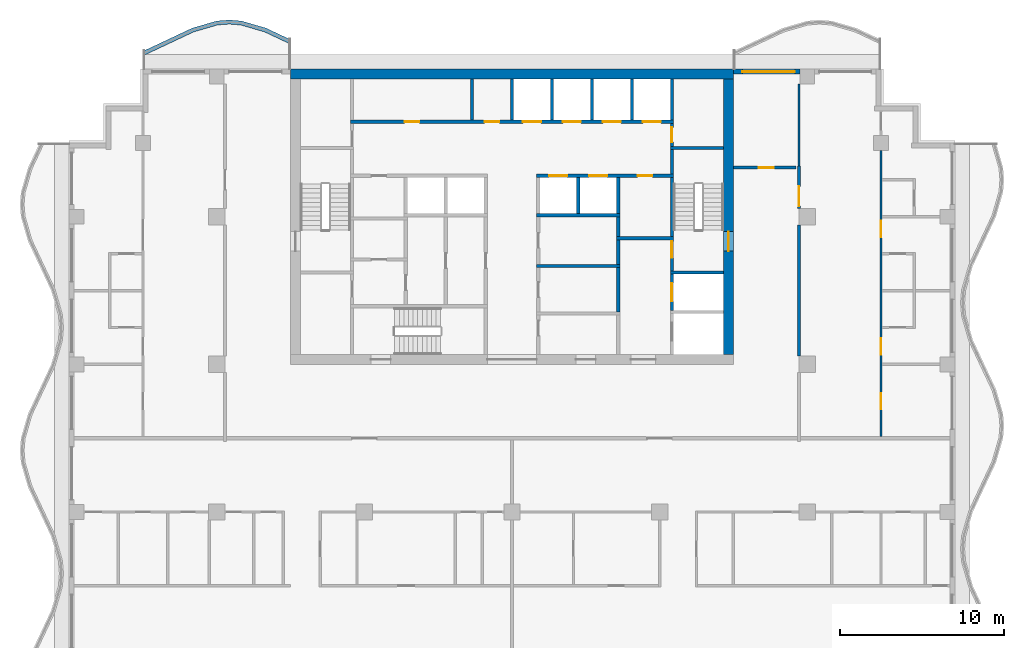
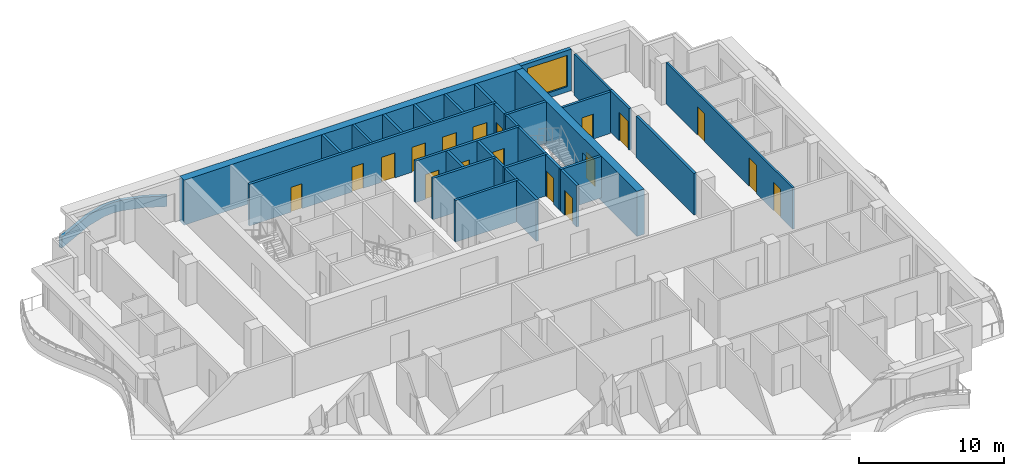
# One storey, part 6 of 11: 32 walls, 18 doors, 1 window, 19 openings.
"""IFC4 building model written with IfcOpenShell, lengths in metres."""

from ifc_helpers import new_model, si_unit, direction, frame, frame_2d, origin, place, context, subcontext, project, spatial, polyline, rectangle, outline, extrude, material, layer, layer_set, type_object, element, fill, save


model = new_model("IFC4")

# Units and contexts
model_context = context("Model", 3, precision=1e-05, world=origin(), true_north=direction((0.0, 1.0)))
body_context = subcontext(model_context, "Body", "Model", "MODEL_VIEW")
ifc_project = project(units=[si_unit("LENGTHUNIT", "METRE"), si_unit("AREAUNIT", "SQUARE_METRE"), si_unit("VOLUMEUNIT", "CUBIC_METRE"), si_unit("PLANEANGLEUNIT", "RADIAN"), si_unit("MASSUNIT", "GRAM", prefix="KILO")], contexts=[model_context])

# Site, building, storey
site_placement = place(None, origin())
site = spatial("IfcSite", under=ifc_project, at=site_placement, CompositionType="ELEMENT")
building_placement = place(site_placement, origin())
building = spatial("IfcBuilding", under=site, at=building_placement, Name="Orbiselva Terraces", CompositionType="ELEMENT")
storey_placement = place(building_placement, frame((0.0, 0.0, 242.6)))
storey = spatial("IfcBuildingStorey", under=building, at=storey_placement, Name="L61", CompositionType="ELEMENT", Elevation=242.6)

# Wall, opening, door
ifc_material_1 = material(Name="Concrete C80/95", Category="concrete")
ifc_layer_1 = layer(ifc_material_1, 0.6)
ifc_layer_set_1 = layer_set([ifc_layer_1], Name="Concrete C80/95")
wall_type_1 = type_object("IfcWallType", Name="CORE WALL 600", PredefinedType="SHEAR", material=ifc_layer_set_1)
wall_1_placement = place(storey_placement, frame((13.2, 5.1, -0.3), z_axis=(0.0, 0.0, 1.0), x_axis=(0.0, 1.0, 0.0)))
wall_1 = element("IfcWall", 1, at=wall_1_placement, inside=storey, type_object=wall_type_1, Name="Core wall L61 east", PredefinedType="SHEAR", context=body_context, shape_type="SweptSolid", body=[
    extrude(rectangle(XDim=16.8, YDim=0.6, at=frame_2d((8.4, 0.0))), origin(), (0.0, 0.0, 1.0), 3.8),
])
opening_1_placement = place(wall_1_placement, frame((6.3, 0.0, 0.3)))
opening_1 = element("IfcOpeningElement", 2, at=opening_1_placement, cuts=wall_1, Name="Opening DS1200", PredefinedType="OPENING", context=body_context, shape_type="SweptSolid", body=[
    extrude(rectangle(XDim=1.2, YDim=2.2, at=frame_2d((0.6, 1.1))), frame((0.0, 0.31, 0.0), z_axis=(0.0, -1.0, 0.0), x_axis=(1.0, 0.0, 0.0)), (0.0, 0.0, 1.0), 0.62),
])
ifc_material_2 = material(Name="Steel fire door", Category="steel")
door_type_1 = type_object("IfcDoorType", Name="STAIR DOOR 1200", OperationType="NOTDEFINED", PredefinedType="DOOR", material=ifc_material_2)
door_1_placement = place(opening_1_placement, frame((1.2, 0.0, 0.0), z_axis=(0.0, 0.0, 1.0), x_axis=(-1.0, 0.0, 0.0)))
door_1 = element("IfcDoor", 3, at=door_1_placement, inside=storey, type_object=door_type_1, Name="L61 EXIT STAIR S2 door", OperationType="SINGLE_SWING_LEFT", OverallHeight=2.2, OverallWidth=1.2, PredefinedType="DOOR", context=body_context, shape_type="SweptSolid", body=[
    extrude(rectangle(XDim=1.2, YDim=2.2, at=frame_2d((0.6, 1.1))), frame((0.0, 0.025, 0.0), z_axis=(0.0, -1.0, 0.0), x_axis=(1.0, 0.0, 0.0)), (0.0, 0.0, 1.0), 0.05),
])
fill(opening_1, door_1)

# Walls
ifc_layer_2 = layer(ifc_material_1, 0.6)
ifc_layer_set_2 = layer_set([ifc_layer_2], Name="Concrete C80/95")
wall_type_2 = type_object("IfcWallType", Name="CORE WALL 600 EXTERNAL", PredefinedType="SHEAR", material=ifc_layer_set_2)
wall_2_placement = place(storey_placement, frame((13.5, 22.2, -0.3), z_axis=(0.0, 0.0, 1.0), x_axis=(-1.0, 0.0, 0.0)))
element("IfcWall", 4, at=wall_2_placement, inside=storey, type_object=wall_type_2, Name="Core wall L61 north", PredefinedType="SHEAR", context=body_context, shape_type="SweptSolid", body=[
    extrude(rectangle(XDim=27.0, YDim=0.6, at=frame_2d((13.5, 0.0))), origin(), (0.0, 0.0, 1.0), 3.8),
])
ifc_material_3 = material(Name="Masonry blockwork", Category="masonry")
ifc_layer_3 = layer(ifc_material_3, 0.2)
ifc_layer_set_3 = layer_set([ifc_layer_3], Name="Masonry blockwork")
wall_type_3 = type_object("IfcWallType", Name="CORE-WALL-PARTITION-200", PredefinedType="PARTITIONING", material=ifc_layer_set_3)
wall_3_placement = place(storey_placement, frame((-2.4375, 19.4, 0.0), z_axis=(0.0, 0.0, 1.0), x_axis=(0.0, 1.0, 0.0)))
element("IfcWall", 5, at=wall_3_placement, inside=storey, type_object=wall_type_3, Name="L61 core wall 22", PredefinedType="PARTITIONING", context=body_context, shape_type="SweptSolid", body=[
    extrude(rectangle(XDim=2.5, YDim=0.2, at=frame_2d((1.25, 0.0))), origin(), (0.0, 0.0, 1.0), 3.5),
])
wall_4_placement = place(storey_placement, frame((6.475, 12.3, 0.0), z_axis=(0.0, 0.0, 1.0), x_axis=(0.0, 1.0, 0.0)))
element("IfcWall", 6, at=wall_4_placement, inside=storey, type_object=wall_type_3, Name="L61 core wall 42", PredefinedType="PARTITIONING", context=body_context, shape_type="SweptSolid", body=[
    extrude(rectangle(XDim=1.2, YDim=0.2, at=frame_2d((0.6, 0.0))), origin(), (0.0, 0.0, 1.0), 3.5),
])

# Wall, opening, door
wall_5_placement = place(storey_placement, frame((9.75, 19.2, 0.0), z_axis=(0.0, 0.0, 1.0), x_axis=(0.0, -1.0, 0.0)))
wall_5 = element("IfcWall", 7, at=wall_5_placement, inside=storey, type_object=wall_type_3, Name="L61 core wall 53", PredefinedType="PARTITIONING", context=body_context, shape_type="SweptSolid", body=[
    extrude(rectangle(XDim=1.4, YDim=0.2, at=frame_2d((0.7, 0.0))), origin(), (0.0, 0.0, 1.0), 3.5),
])
opening_2_placement = place(wall_5_placement, frame((0.25, 0.0, 0.0)))
opening_2 = element("IfcOpeningElement", 8, at=opening_2_placement, cuts=wall_5, Name="Opening DR900", PredefinedType="OPENING", context=body_context, shape_type="SweptSolid", body=[
    extrude(rectangle(XDim=0.9, YDim=2.1, at=frame_2d((0.45, 1.05))), frame((0.0, 0.11, 0.0), z_axis=(0.0, -1.0, 0.0), x_axis=(1.0, 0.0, 0.0)), (0.0, 0.0, 1.0), 0.22),
])
door_type_2 = type_object("IfcDoorType", Name="ROOM DOOR 900", OperationType="NOTDEFINED", PredefinedType="DOOR", material=ifc_material_2)
door_2_placement = place(opening_2_placement, origin())
door_2 = element("IfcDoor", 9, at=door_2_placement, inside=storey, type_object=door_type_2, Name="L61 ELECTRICAL RISER ROOM door", OperationType="SINGLE_SWING_RIGHT", OverallHeight=2.1, OverallWidth=0.9, PredefinedType="DOOR", context=body_context, shape_type="SweptSolid", body=[
    extrude(rectangle(XDim=0.9, YDim=2.1, at=frame_2d((0.45, 1.05))), frame((0.0, 0.025, 0.0), z_axis=(0.0, -1.0, 0.0), x_axis=(1.0, 0.0, 0.0)), (0.0, 0.0, 1.0), 0.05),
])
fill(opening_2, door_2)

# Walls
ifc_material_4 = material(Name="Concrete C40/50", Category="concrete")
ifc_layer_4 = layer(ifc_material_4, 0.2)
ifc_layer_set_4 = layer_set([ifc_layer_4], Name="Concrete C40/50")
wall_type_4 = type_object("IfcWallType", Name="CORE-WALL-SHAFT-200", PredefinedType="PARTITIONING", material=ifc_layer_set_4)
for number, where, z_axis, x_axis, name in (
    (10, (0.0, 19.4, 0.0), (0.0, 0.0, 1.0), (0.0, 1.0, 0.0), "L61 core wall 26"),
    (11, (2.4375, 19.4, 0.0), (0.0, 0.0, 1.0), (0.0, 1.0, 0.0), "L61 core wall 35"),
):
    element("IfcWall", number, at=place(storey_placement, frame(where, z_axis=z_axis, x_axis=x_axis)), inside=storey, type_object=wall_type_4, Name=name, PredefinedType="PARTITIONING", context=body_context, shape_type="SweptSolid", body=[
        extrude(rectangle(XDim=2.5, YDim=0.2, at=frame_2d((1.25, 0.0))), origin(), (0.0, 0.0, 1.0), 3.5),
    ])
wall_6_placement = place(storey_placement, frame((4.0375, 13.7, 0.0), z_axis=(0.0, 0.0, 1.0), x_axis=(0.0, 1.0, 0.0)))
element("IfcWall", 12, at=wall_6_placement, inside=storey, type_object=wall_type_4, Name="L61 core wall 36", PredefinedType="PARTITIONING", context=body_context, shape_type="SweptSolid", body=[
    extrude(rectangle(XDim=2.2, YDim=0.2, at=frame_2d((1.1, 0.0))), origin(), (0.0, 0.0, 1.0), 3.5),
])
wall_7_placement = place(storey_placement, frame((4.875, 19.4, 0.0), z_axis=(0.0, 0.0, 1.0), x_axis=(0.0, 1.0, 0.0)))
element("IfcWall", 13, at=wall_7_placement, inside=storey, type_object=wall_type_4, Name="L61 core wall 37", PredefinedType="PARTITIONING", context=body_context, shape_type="SweptSolid", body=[
    extrude(rectangle(XDim=2.5, YDim=0.2, at=frame_2d((1.25, 0.0))), origin(), (0.0, 0.0, 1.0), 3.5),
])
wall_8_placement = place(storey_placement, frame((6.475, 13.7, 0.0), z_axis=(0.0, 0.0, 1.0), x_axis=(0.0, 1.0, 0.0)))
element("IfcWall", 14, at=wall_8_placement, inside=storey, type_object=wall_type_4, Name="L61 core wall 43", PredefinedType="PARTITIONING", context=body_context, shape_type="SweptSolid", body=[
    extrude(rectangle(XDim=2.2, YDim=0.2, at=frame_2d((1.1, 0.0))), origin(), (0.0, 0.0, 1.0), 3.5),
])
for number, where, z_axis, x_axis, name in (
    (15, (7.3125, 19.4, 0.0), (0.0, 0.0, 1.0), (0.0, 1.0, 0.0), "L61 core wall 44"),
    (16, (9.75, 19.4, 0.0), (0.0, 0.0, 1.0), (0.0, 1.0, 0.0), "L61 core wall 54"),
):
    element("IfcWall", number, at=place(storey_placement, frame(where, z_axis=z_axis, x_axis=x_axis)), inside=storey, type_object=wall_type_4, Name=name, PredefinedType="PARTITIONING", context=body_context, shape_type="SweptSolid", body=[
        extrude(rectangle(XDim=2.5, YDim=0.2, at=frame_2d((1.25, 0.0))), origin(), (0.0, 0.0, 1.0), 3.5),
    ])

# Wall, openings, doors
ifc_material_5 = material(Name="Concrete C60/75", Category="concrete")
ifc_layer_5 = layer(ifc_material_5, 0.2)
ifc_layer_set_5 = layer_set([ifc_layer_5], Name="Concrete C60/75")
wall_type_5 = type_object("IfcWallType", Name="CORE-WALL-SHEAR-200", PredefinedType="SHEAR", material=ifc_layer_set_5)
wall_9_placement = place(storey_placement, frame((-9.85, 19.3, 0.0), z_axis=(0.0, 0.0, 1.0), x_axis=(1.0, 0.0, 0.0)))
wall_9 = element("IfcWall", 17, at=wall_9_placement, inside=storey, type_object=wall_type_5, Name="L61 core wall 14", PredefinedType="SHEAR", context=body_context, shape_type="SweptSolid", body=[
    extrude(rectangle(XDim=19.7, YDim=0.2, at=frame_2d((9.85, 0.0))), origin(), (0.0, 0.0, 1.0), 3.5),
])
opening_3_placement = place(wall_9_placement, frame((10.51875, 0.0, 0.0)))
opening_3 = element("IfcOpeningElement", 18, at=opening_3_placement, cuts=wall_9, Name="Opening LD-HR1", PredefinedType="OPENING", context=body_context, shape_type="SweptSolid", body=[
    extrude(rectangle(XDim=1.1, YDim=2.1, at=frame_2d((0.55, 1.05))), frame((0.0, 0.11, 0.0), z_axis=(0.0, -1.0, 0.0), x_axis=(1.0, 0.0, 0.0)), (0.0, 0.0, 1.0), 0.22),
])
opening_4_placement = place(wall_9_placement, frame((12.95625, 0.0, 0.0)))
opening_4 = element("IfcOpeningElement", 19, at=opening_4_placement, cuts=wall_9, Name="Opening LD-HR2", PredefinedType="OPENING", context=body_context, shape_type="SweptSolid", body=[
    extrude(rectangle(XDim=1.1, YDim=2.1, at=frame_2d((0.55, 1.05))), frame((0.0, 0.11, 0.0), z_axis=(0.0, -1.0, 0.0), x_axis=(1.0, 0.0, 0.0)), (0.0, 0.0, 1.0), 0.22),
])
opening_5_placement = place(wall_9_placement, frame((15.39375, 0.0, 0.0)))
opening_5 = element("IfcOpeningElement", 20, at=opening_5_placement, cuts=wall_9, Name="Opening LD-HR3", PredefinedType="OPENING", context=body_context, shape_type="SweptSolid", body=[
    extrude(rectangle(XDim=1.1, YDim=2.1, at=frame_2d((0.55, 1.05))), frame((0.0, 0.11, 0.0), z_axis=(0.0, -1.0, 0.0), x_axis=(1.0, 0.0, 0.0)), (0.0, 0.0, 1.0), 0.22),
])
opening_6_placement = place(wall_9_placement, frame((17.83125, 0.0, 0.0)))
opening_6 = element("IfcOpeningElement", 21, at=opening_6_placement, cuts=wall_9, Name="Opening LD-HR4", PredefinedType="OPENING", context=body_context, shape_type="SweptSolid", body=[
    extrude(rectangle(XDim=1.1, YDim=2.1, at=frame_2d((0.55, 1.05))), frame((0.0, 0.11, 0.0), z_axis=(0.0, -1.0, 0.0), x_axis=(1.0, 0.0, 0.0)), (0.0, 0.0, 1.0), 0.22),
])
opening_7_placement = place(wall_9_placement, frame((3.3062, 0.0, 0.0)))
opening_7 = element("IfcOpeningElement", 22, at=opening_7_placement, cuts=wall_9, Name="Opening DR900", PredefinedType="OPENING", context=body_context, shape_type="SweptSolid", body=[
    extrude(rectangle(XDim=0.9, YDim=2.1, at=frame_2d((0.45, 1.05))), frame((0.0, 0.11, 0.0), z_axis=(0.0, -1.0, 0.0), x_axis=(1.0, 0.0, 0.0)), (0.0, 0.0, 1.0), 0.22),
])
opening_8_placement = place(wall_9_placement, frame((8.1812, 0.0, 0.0)))
opening_8 = element("IfcOpeningElement", 23, at=opening_8_placement, cuts=wall_9, Name="Opening DR900", PredefinedType="OPENING", context=body_context, shape_type="SweptSolid", body=[
    extrude(rectangle(XDim=0.9, YDim=2.1, at=frame_2d((0.45, 1.05))), frame((0.0, 0.11, 0.0), z_axis=(0.0, -1.0, 0.0), x_axis=(1.0, 0.0, 0.0)), (0.0, 0.0, 1.0), 0.22),
])
ifc_material_6 = material(Name="Stainless steel landing door", Category="steel")
door_type_3 = type_object("IfcDoorType", Name="LANDING DOOR 1100", OperationType="SLIDING_TO_LEFT", PredefinedType="DOOR", material=ifc_material_6)
door_3_placement = place(opening_3_placement, origin())
door_3 = element("IfcDoor", 24, at=door_3_placement, inside=storey, type_object=door_type_3, Name="L61 landing door HR1", OperationType="SLIDING_TO_RIGHT", OverallHeight=2.1, OverallWidth=1.1, PredefinedType="DOOR", context=body_context, shape_type="SweptSolid", body=[
    extrude(rectangle(XDim=1.1, YDim=2.1, at=frame_2d((0.55, 1.05))), frame((0.0, 0.025, 0.0), z_axis=(0.0, -1.0, 0.0), x_axis=(1.0, 0.0, 0.0)), (0.0, 0.0, 1.0), 0.05),
])
fill(opening_3, door_3)
door_4_placement = place(opening_4_placement, origin())
door_4 = element("IfcDoor", 25, at=door_4_placement, inside=storey, type_object=door_type_3, Name="L61 landing door HR2", OperationType="SLIDING_TO_RIGHT", OverallHeight=2.1, OverallWidth=1.1, PredefinedType="DOOR", context=body_context, shape_type="SweptSolid", body=[
    extrude(rectangle(XDim=1.1, YDim=2.1, at=frame_2d((0.55, 1.05))), frame((0.0, 0.025, 0.0), z_axis=(0.0, -1.0, 0.0), x_axis=(1.0, 0.0, 0.0)), (0.0, 0.0, 1.0), 0.05),
])
fill(opening_4, door_4)
door_5_placement = place(opening_5_placement, origin())
door_5 = element("IfcDoor", 26, at=door_5_placement, inside=storey, type_object=door_type_3, Name="L61 landing door HR3", OperationType="SLIDING_TO_RIGHT", OverallHeight=2.1, OverallWidth=1.1, PredefinedType="DOOR", context=body_context, shape_type="SweptSolid", body=[
    extrude(rectangle(XDim=1.1, YDim=2.1, at=frame_2d((0.55, 1.05))), frame((0.0, 0.025, 0.0), z_axis=(0.0, -1.0, 0.0), x_axis=(1.0, 0.0, 0.0)), (0.0, 0.0, 1.0), 0.05),
])
fill(opening_5, door_5)
door_6_placement = place(opening_6_placement, origin())
door_6 = element("IfcDoor", 27, at=door_6_placement, inside=storey, type_object=door_type_3, Name="L61 landing door HR4", OperationType="SLIDING_TO_RIGHT", OverallHeight=2.1, OverallWidth=1.1, PredefinedType="DOOR", context=body_context, shape_type="SweptSolid", body=[
    extrude(rectangle(XDim=1.1, YDim=2.1, at=frame_2d((0.55, 1.05))), frame((0.0, 0.025, 0.0), z_axis=(0.0, -1.0, 0.0), x_axis=(1.0, 0.0, 0.0)), (0.0, 0.0, 1.0), 0.05),
])
fill(opening_6, door_6)
door_7_placement = place(opening_7_placement, origin())
door_7 = element("IfcDoor", 28, at=door_7_placement, inside=storey, type_object=door_type_2, Name="L61 SERVICE LOUNGE door", OperationType="SINGLE_SWING_LEFT", OverallHeight=2.1, OverallWidth=0.9, PredefinedType="DOOR", context=body_context, shape_type="SweptSolid", body=[
    extrude(rectangle(XDim=0.9, YDim=2.1, at=frame_2d((0.45, 1.05))), frame((0.0, 0.025, 0.0), z_axis=(0.0, -1.0, 0.0), x_axis=(1.0, 0.0, 0.0)), (0.0, 0.0, 1.0), 0.05),
])
fill(opening_7, door_7)
door_8_placement = place(opening_8_placement, origin())
door_8 = element("IfcDoor", 29, at=door_8_placement, inside=storey, type_object=door_type_2, Name="L61 STAFF WC door", OperationType="SINGLE_SWING_LEFT", OverallHeight=2.1, OverallWidth=0.9, PredefinedType="DOOR", context=body_context, shape_type="SweptSolid", body=[
    extrude(rectangle(XDim=0.9, YDim=2.1, at=frame_2d((0.45, 1.05))), frame((0.0, 0.025, 0.0), z_axis=(0.0, -1.0, 0.0), x_axis=(1.0, 0.0, 0.0)), (0.0, 0.0, 1.0), 0.05),
])
fill(opening_8, door_8)

# Walls
for number, where, z_axis, x_axis, name in (
    (30, (1.5, 10.5, 0.0), (0.0, 0.0, 1.0), (1.0, 0.0, 0.0), "L61 core wall 30"),
    (31, (1.5, 13.6, 0.0), (0.0, 0.0, 1.0), (1.0, 0.0, 0.0), "L61 core wall 32"),
):
    element("IfcWall", number, at=place(storey_placement, frame(where, z_axis=z_axis, x_axis=x_axis)), inside=storey, type_object=wall_type_5, Name=name, PredefinedType="SHEAR", context=body_context, shape_type="SweptSolid", body=[
        extrude(rectangle(XDim=5.075, YDim=0.2, at=frame_2d((2.5375, 0.0))), origin(), (0.0, 0.0, 1.0), 3.5),
    ])

# Wall, openings, doors
wall_10_placement = place(storey_placement, frame((9.85, 16.0, 0.0), z_axis=(0.0, 0.0, 1.0), x_axis=(-1.0, 0.0, 0.0)))
wall_10 = element("IfcWall", 32, at=wall_10_placement, inside=storey, type_object=wall_type_5, Name="L61 core wall 34", PredefinedType="SHEAR", context=body_context, shape_type="SweptSolid", body=[
    extrude(rectangle(XDim=8.35, YDim=0.2, at=frame_2d((4.175, 0.0))), origin(), (0.0, 0.0, 1.0), 3.5),
])
opening_9_placement = place(wall_10_placement, frame((6.48125, 0.0, 0.0)))
opening_9 = element("IfcOpeningElement", 33, at=opening_9_placement, cuts=wall_10, Name="Opening LD-HR5", PredefinedType="OPENING", context=body_context, shape_type="SweptSolid", body=[
    extrude(rectangle(XDim=1.1, YDim=2.1, at=frame_2d((0.55, 1.05))), frame((0.0, 0.11, 0.0), z_axis=(0.0, -1.0, 0.0), x_axis=(1.0, 0.0, 0.0)), (0.0, 0.0, 1.0), 0.22),
])
opening_10_placement = place(wall_10_placement, frame((4.04375, 0.0, 0.0)))
opening_10 = element("IfcOpeningElement", 34, at=opening_10_placement, cuts=wall_10, Name="Opening LD-HR6", PredefinedType="OPENING", context=body_context, shape_type="SweptSolid", body=[
    extrude(rectangle(XDim=1.1, YDim=2.1, at=frame_2d((0.55, 1.05))), frame((0.0, 0.11, 0.0), z_axis=(0.0, -1.0, 0.0), x_axis=(1.0, 0.0, 0.0)), (0.0, 0.0, 1.0), 0.22),
])
opening_11_placement = place(wall_10_placement, frame((1.2875, 0.0, 0.0)))
opening_11 = element("IfcOpeningElement", 35, at=opening_11_placement, cuts=wall_10, Name="Opening DR900", PredefinedType="OPENING", context=body_context, shape_type="SweptSolid", body=[
    extrude(rectangle(XDim=0.9, YDim=2.1, at=frame_2d((0.45, 1.05))), frame((0.0, 0.11, 0.0), z_axis=(0.0, -1.0, 0.0), x_axis=(1.0, 0.0, 0.0)), (0.0, 0.0, 1.0), 0.22),
])
door_9_placement = place(opening_9_placement, origin())
door_9 = element("IfcDoor", 36, at=door_9_placement, inside=storey, type_object=door_type_3, Name="L61 landing door HR5", OperationType="SLIDING_TO_RIGHT", OverallHeight=2.1, OverallWidth=1.1, PredefinedType="DOOR", context=body_context, shape_type="SweptSolid", body=[
    extrude(rectangle(XDim=1.1, YDim=2.1, at=frame_2d((0.55, 1.05))), frame((0.0, 0.025, 0.0), z_axis=(0.0, -1.0, 0.0), x_axis=(1.0, 0.0, 0.0)), (0.0, 0.0, 1.0), 0.05),
])
fill(opening_9, door_9)
door_10_placement = place(opening_10_placement, origin())
door_10 = element("IfcDoor", 37, at=door_10_placement, inside=storey, type_object=door_type_3, Name="L61 landing door HR6", OperationType="SLIDING_TO_RIGHT", OverallHeight=2.1, OverallWidth=1.1, PredefinedType="DOOR", context=body_context, shape_type="SweptSolid", body=[
    extrude(rectangle(XDim=1.1, YDim=2.1, at=frame_2d((0.55, 1.05))), frame((0.0, 0.025, 0.0), z_axis=(0.0, -1.0, 0.0), x_axis=(1.0, 0.0, 0.0)), (0.0, 0.0, 1.0), 0.05),
])
fill(opening_10, door_10)
door_11_placement = place(opening_11_placement, origin())
door_11 = element("IfcDoor", 38, at=door_11_placement, inside=storey, type_object=door_type_2, Name="L61 PIPE RISER ROOM door", OperationType="SINGLE_SWING_LEFT", OverallHeight=2.1, OverallWidth=0.9, PredefinedType="DOOR", context=body_context, shape_type="SweptSolid", body=[
    extrude(rectangle(XDim=0.9, YDim=2.1, at=frame_2d((0.45, 1.05))), frame((0.0, 0.025, 0.0), z_axis=(0.0, -1.0, 0.0), x_axis=(1.0, 0.0, 0.0)), (0.0, 0.0, 1.0), 0.05),
])
fill(opening_11, door_11)

# Walls
wall_11_placement = place(storey_placement, frame((6.475, 7.7, 0.0), z_axis=(0.0, 0.0, 1.0), x_axis=(0.0, 1.0, 0.0)))
element("IfcWall", 39, at=wall_11_placement, inside=storey, type_object=wall_type_5, Name="L61 core wall 39", PredefinedType="SHEAR", context=body_context, shape_type="SweptSolid", body=[
    extrude(rectangle(XDim=2.7, YDim=0.2, at=frame_2d((1.35, 0.0))), origin(), (0.0, 0.0, 1.0), 3.5),
])
wall_12_placement = place(storey_placement, frame((6.475, 10.6, 0.0), z_axis=(0.0, 0.0, 1.0), x_axis=(0.0, 1.0, 0.0)))
element("IfcWall", 40, at=wall_12_placement, inside=storey, type_object=wall_type_5, Name="L61 core wall 40", PredefinedType="SHEAR", context=body_context, shape_type="SweptSolid", body=[
    extrude(rectangle(XDim=1.5, YDim=0.2, at=frame_2d((0.75, 0.0))), origin(), (0.0, 0.0, 1.0), 3.5),
])
wall_13_placement = place(storey_placement, frame((6.375, 12.2, 0.0), z_axis=(0.0, 0.0, 1.0), x_axis=(1.0, 0.0, 0.0)))
element("IfcWall", 41, at=wall_13_placement, inside=storey, type_object=wall_type_5, Name="L61 core wall 41", PredefinedType="SHEAR", context=body_context, shape_type="SweptSolid", body=[
    extrude(rectangle(XDim=3.475, YDim=0.2, at=frame_2d((1.7375, 0.0))), origin(), (0.0, 0.0, 1.0), 3.5),
])

# Wall, opening, door
wall_14_placement = place(storey_placement, frame((9.75, 7.8, 0.0), z_axis=(0.0, 0.0, 1.0), x_axis=(0.0, 1.0, 0.0)))
wall_14 = element("IfcWall", 42, at=wall_14_placement, inside=storey, type_object=wall_type_5, Name="L61 core wall 47", PredefinedType="SHEAR", context=body_context, shape_type="SweptSolid", body=[
    extrude(rectangle(XDim=2.2, YDim=0.2, at=frame_2d((1.1, 0.0))), origin(), (0.0, 0.0, 1.0), 3.5),
])
opening_12_placement = place(wall_14_placement, frame((0.55, 0.0, 0.0)))
opening_12 = element("IfcOpeningElement", 43, at=opening_12_placement, cuts=wall_14, Name="Opening LD-FF2", PredefinedType="OPENING", context=body_context, shape_type="SweptSolid", body=[
    extrude(rectangle(XDim=1.1, YDim=2.1, at=frame_2d((0.55, 1.05))), frame((0.0, 0.11, 0.0), z_axis=(0.0, -1.0, 0.0), x_axis=(1.0, 0.0, 0.0)), (0.0, 0.0, 1.0), 0.22),
])
door_12_placement = place(opening_12_placement, origin())
door_12 = element("IfcDoor", 44, at=door_12_placement, inside=storey, type_object=door_type_3, Name="L61 landing door FF2", OperationType="SLIDING_TO_RIGHT", OverallHeight=2.1, OverallWidth=1.1, PredefinedType="DOOR", context=body_context, shape_type="SweptSolid", body=[
    extrude(rectangle(XDim=1.1, YDim=2.1, at=frame_2d((0.55, 1.05))), frame((0.0, 0.025, 0.0), z_axis=(0.0, -1.0, 0.0), x_axis=(1.0, 0.0, 0.0)), (0.0, 0.0, 1.0), 0.05),
])
fill(opening_12, door_12)

# Wall
wall_15_placement = place(storey_placement, frame((9.65, 10.1, 0.0), z_axis=(0.0, 0.0, 1.0), x_axis=(1.0, 0.0, 0.0)))
element("IfcWall", 45, at=wall_15_placement, inside=storey, type_object=wall_type_5, Name="L61 core wall 48", PredefinedType="SHEAR", context=body_context, shape_type="SweptSolid", body=[
    extrude(rectangle(XDim=3.25, YDim=0.2, at=frame_2d((1.625, 0.0))), origin(), (0.0, 0.0, 1.0), 3.5),
])

# Wall, opening, door
wall_16_placement = place(storey_placement, frame((9.75, 12.1, 0.0), z_axis=(0.0, 0.0, 1.0), x_axis=(0.0, -1.0, 0.0)))
wall_16 = element("IfcWall", 46, at=wall_16_placement, inside=storey, type_object=wall_type_5, Name="L61 core wall 49", PredefinedType="SHEAR", context=body_context, shape_type="SweptSolid", body=[
    extrude(rectangle(XDim=1.9, YDim=0.2, at=frame_2d((0.95, 0.0))), origin(), (0.0, 0.0, 1.0), 3.5),
])
opening_13_placement = place(wall_16_placement, frame((0.1, 0.0, 0.0)))
opening_13 = element("IfcOpeningElement", 47, at=opening_13_placement, cuts=wall_16, Name="Opening DS1000", PredefinedType="OPENING", context=body_context, shape_type="SweptSolid", body=[
    extrude(rectangle(XDim=1.0, YDim=2.2, at=frame_2d((0.5, 1.1))), frame((0.0, 0.11, 0.0), z_axis=(0.0, -1.0, 0.0), x_axis=(1.0, 0.0, 0.0)), (0.0, 0.0, 1.0), 0.22),
])
door_type_4 = type_object("IfcDoorType", Name="STAIR DOOR 1000", OperationType="NOTDEFINED", PredefinedType="DOOR", material=ifc_material_2)
door_13_placement = place(opening_13_placement, origin())
door_13 = element("IfcDoor", 48, at=door_13_placement, inside=storey, type_object=door_type_4, Name="L61 FIRE-FIGHTING LOBBY TO EXIT STAIR S2 door", OperationType="SINGLE_SWING_LEFT", OverallHeight=2.2, OverallWidth=1.0, PredefinedType="DOOR", context=body_context, shape_type="SweptSolid", body=[
    extrude(rectangle(XDim=1.0, YDim=2.2, at=frame_2d((0.5, 1.1))), frame((0.0, 0.025, 0.0), z_axis=(0.0, -1.0, 0.0), x_axis=(1.0, 0.0, 0.0)), (0.0, 0.0, 1.0), 0.05),
])
fill(opening_13, door_13)

# Walls
wall_17_placement = place(storey_placement, frame((9.75, 12.3, 0.0), z_axis=(0.0, 0.0, 1.0), x_axis=(0.0, 1.0, 0.0)))
element("IfcWall", 49, at=wall_17_placement, inside=storey, type_object=wall_type_5, Name="L61 core wall 50", PredefinedType="SHEAR", context=body_context, shape_type="SweptSolid", body=[
    extrude(rectangle(XDim=3.6, YDim=0.2, at=frame_2d((1.8, 0.0))), origin(), (0.0, 0.0, 1.0), 3.5),
])
wall_18_placement = place(storey_placement, frame((9.75, 16.1, 0.0), z_axis=(0.0, 0.0, 1.0), x_axis=(0.0, 1.0, 0.0)))
element("IfcWall", 50, at=wall_18_placement, inside=storey, type_object=wall_type_5, Name="L61 core wall 51", PredefinedType="SHEAR", context=body_context, shape_type="SweptSolid", body=[
    extrude(rectangle(XDim=1.5, YDim=0.2, at=frame_2d((0.75, 0.0))), origin(), (0.0, 0.0, 1.0), 3.5),
])
wall_19_placement = place(storey_placement, frame((9.65, 17.7, 0.0), z_axis=(0.0, 0.0, 1.0), x_axis=(1.0, 0.0, 0.0)))
element("IfcWall", 51, at=wall_19_placement, inside=storey, type_object=wall_type_5, Name="L61 core wall 52", PredefinedType="SHEAR", context=body_context, shape_type="SweptSolid", body=[
    extrude(rectangle(XDim=3.25, YDim=0.2, at=frame_2d((1.625, 0.0))), origin(), (0.0, 0.0, 1.0), 3.5),
])
ifc_layer_6 = layer(ifc_material_4, 0.25)
ifc_layer_set_6 = layer_set([ifc_layer_6], Name="Concrete C40/50")
wall_type_6 = type_object("IfcWallType", Name="ENV-PLANTER-250x900", PredefinedType="USERDEFINED", material=ifc_layer_set_6)
wall_20_placement = place(storey_placement, origin())
element("IfcWall", 52, at=wall_20_placement, inside=storey, type_object=wall_type_6, Name="Balcony planter L61 NW", ObjectType="PLANTER", PredefinedType="USERDEFINED", context=body_context, shape_type="SweptSolid", body=[
    extrude(outline(polyline([(-13.5, 24.3), (-15.0, 25.005342), (-16.5, 25.441268), (-17.25, 25.5), (-18.0, 25.441268), (-19.5, 25.005342), (-21.0, 24.3), (-22.5, 23.594658), (-22.393617, 23.368422), (-20.893617, 24.073764), (-19.411382, 24.770753), (-17.954886, 25.194035), (-17.25, 25.249235), (-16.545114, 25.194035), (-15.088618, 24.770753), (-13.606383, 24.073764), (-13.5, 24.3)])), origin(), (0.0, 0.0, 1.0), 0.9),
])

# Wall, opening, window
ifc_material_7 = material(Name="Terracotta cladding on masonry backing", Category="masonry")
ifc_layer_7 = layer(ifc_material_7, 0.3)
ifc_layer_set_7 = layer_set([ifc_layer_7], Name="Terracotta cladding on masonry backing")
wall_type_7 = type_object("IfcWallType", Name="ENV-WALL-TERRACOTTA-300", PredefinedType="SOLIDWALL", material=ifc_layer_set_7)
wall_21_placement = place(storey_placement, frame((13.5, 22.35, 0.0), z_axis=(0.0, 0.0, 1.0), x_axis=(1.0, 0.0, 0.0)))
wall_21 = element("IfcWall", 53, at=wall_21_placement, inside=storey, type_object=wall_type_7, Name="Facade wall L61 NE", PredefinedType="SOLIDWALL", context=body_context, shape_type="SweptSolid", body=[
    extrude(rectangle(XDim=4.05, YDim=0.3, at=frame_2d((2.025, 0.0))), origin(), (0.0, 0.0, 1.0), 3.5),
])
opening_14_placement = place(wall_21_placement, frame((0.55, 0.0, 0.45)))
opening_14 = element("IfcOpeningElement", 54, at=opening_14_placement, cuts=wall_21, Name="Opening WN17", PredefinedType="OPENING", context=body_context, shape_type="SweptSolid", body=[
    extrude(rectangle(XDim=3.2, YDim=2.65, at=frame_2d((1.6, 1.325))), frame((0.0, 0.16, 0.0), z_axis=(0.0, -1.0, 0.0), x_axis=(1.0, 0.0, 0.0)), (0.0, 0.0, 1.0), 0.32),
])
ifc_material_8 = material(Name="Clear low-e glazing in aluminium frame", Category="aluminium")
window_type = type_object("IfcWindowType", Name="WINDOW 3200 X 2650 S450", PartitioningType="TRIPLE_PANEL_VERTICAL", PredefinedType="WINDOW", material=ifc_material_8)
window_placement = place(opening_14_placement, origin())
window = element("IfcWindow", 55, at=window_placement, inside=storey, type_object=window_type, Name="Window L61 NE", OverallHeight=2.65, OverallWidth=3.2, PartitioningType="SINGLE_PANEL", PredefinedType="WINDOW", context=body_context, shape_type="SweptSolid", body=[
    extrude(rectangle(XDim=3.2, YDim=2.65, at=frame_2d((1.6, 1.325))), frame((0.0, 0.03, 0.0), z_axis=(0.0, -1.0, 0.0), x_axis=(1.0, 0.0, 0.0)), (0.0, 0.0, 1.0), 0.06),
])
fill(opening_14, window)

# Wall, opening, door
ifc_material_9 = material(Name="Plasterboard on steel stud partition", Category="steel")
ifc_layer_8 = layer(ifc_material_9, 0.2)
ifc_layer_set_8 = layer_set([ifc_layer_8], Name="Plasterboard on steel stud partition")
wall_type_8 = type_object("IfcWallType", Name="UNIT-ENTRANCE-WALL-200", PredefinedType="PARTITIONING", material=ifc_layer_set_8)
wall_22_placement = place(storey_placement, frame((13.5, 16.5, 0.0), z_axis=(0.0, 0.0, 1.0), x_axis=(1.0, 0.0, 0.0)))
wall_22 = element("IfcWall", 56, at=wall_22_placement, inside=storey, type_object=wall_type_8, Name="PARTITION L61-041", PredefinedType="PARTITIONING", context=body_context, shape_type="SweptSolid", body=[
    extrude(rectangle(XDim=3.825, YDim=0.2, at=frame_2d((1.9125, 0.0))), origin(), (0.0, 0.0, 1.0), 3.5),
])
opening_15_placement = place(wall_22_placement, frame((1.55, 0.0, 0.0)))
opening_15 = element("IfcOpeningElement", 57, at=opening_15_placement, cuts=wall_22, Name="Opening Z5-A-01", PredefinedType="OPENING", context=body_context, shape_type="SweptSolid", body=[
    extrude(rectangle(XDim=0.9, YDim=2.1, at=frame_2d((0.45, 1.05))), frame((0.0, 0.11, 0.0), z_axis=(0.0, -1.0, 0.0), x_axis=(1.0, 0.0, 0.0)), (0.0, 0.0, 1.0), 0.22),
])
ifc_material_10 = material(Name="Painted timber door leaf", Category="wood")
door_type_5 = type_object("IfcDoorType", Name="SERVICE DOOR 900", OperationType="NOTDEFINED", PredefinedType="DOOR", material=ifc_material_10)
door_14_placement = place(opening_15_placement, origin())
door_14 = element("IfcDoor", 58, at=door_14_placement, inside=storey, type_object=door_type_5, Name="Z5-A-01", OperationType="SINGLE_SWING_RIGHT", OverallHeight=2.1, OverallWidth=0.9, PredefinedType="DOOR", context=body_context, shape_type="SweptSolid", body=[
    extrude(rectangle(XDim=0.9, YDim=2.1, at=frame_2d((0.45, 1.05))), frame((0.0, 0.025, 0.0), z_axis=(0.0, -1.0, 0.0), x_axis=(1.0, 0.0, 0.0)), (0.0, 0.0, 1.0), 0.05),
])
fill(opening_15, door_14)

# Wall
wall_23_placement = place(storey_placement, frame((17.5, 5.0, 0.0), z_axis=(0.0, 0.0, 1.0), x_axis=(0.0, 1.0, 0.0)))
element("IfcWall", 59, at=wall_23_placement, inside=storey, type_object=wall_type_8, Name="PARTITION L61-079", PredefinedType="PARTITIONING", context=body_context, shape_type="SweptSolid", body=[
    extrude(rectangle(XDim=8.0, YDim=0.2, at=frame_2d((4.0, 0.0))), origin(), (0.0, 0.0, 1.0), 3.5),
])

# Wall, opening, door
wall_24_placement = place(storey_placement, frame((17.5, 16.6, 0.0), z_axis=(0.0, 0.0, 1.0), x_axis=(0.0, -1.0, 0.0)))
wall_24 = element("IfcWall", 60, at=wall_24_placement, inside=storey, type_object=wall_type_8, Name="PARTITION L61-080", PredefinedType="PARTITIONING", context=body_context, shape_type="SweptSolid", body=[
    extrude(rectangle(XDim=2.6, YDim=0.2, at=frame_2d((1.3, 0.0))), origin(), (0.0, 0.0, 1.0), 3.5),
])
opening_16_placement = place(wall_24_placement, frame((1.25, 0.0, 0.0)))
opening_16 = element("IfcOpeningElement", 61, at=opening_16_placement, cuts=wall_24, Name="Opening Z5-A-08", PredefinedType="OPENING", context=body_context, shape_type="SweptSolid", body=[
    extrude(rectangle(XDim=1.2, YDim=2.4, at=frame_2d((0.6, 1.2))), frame((0.0, 0.11, 0.0), z_axis=(0.0, -1.0, 0.0), x_axis=(1.0, 0.0, 0.0)), (0.0, 0.0, 1.0), 0.22),
])
door_type_6 = type_object("IfcDoorType", Name="ENTRANCE DOOR 1200", OperationType="NOTDEFINED", PredefinedType="DOOR", material=ifc_material_10)
door_15_placement = place(opening_16_placement, origin())
door_15 = element("IfcDoor", 62, at=door_15_placement, inside=storey, type_object=door_type_6, Name="Z5-A-08", OperationType="SINGLE_SWING_RIGHT", OverallHeight=2.4, OverallWidth=1.2, PredefinedType="DOOR", context=body_context, shape_type="SweptSolid", body=[
    extrude(rectangle(XDim=1.2, YDim=2.4, at=frame_2d((0.6, 1.2))), frame((0.0, 0.025, 0.0), z_axis=(0.0, -1.0, 0.0), x_axis=(1.0, 0.0, 0.0)), (0.0, 0.0, 1.0), 0.05),
])
fill(opening_16, door_15)

# Wall
ifc_layer_9 = layer(ifc_material_9, 0.15)
ifc_layer_set_9 = layer_set([ifc_layer_9], Name="Plasterboard on steel stud partition")
wall_type_9 = type_object("IfcWallType", Name="UNIT-PARTITION-150", PredefinedType="PARTITIONING", material=ifc_layer_set_9)
wall_25_placement = place(storey_placement, frame((17.5, 16.4, 0.0), z_axis=(0.0, 0.0, 1.0), x_axis=(0.0, 1.0, 0.0)))
element("IfcWall", 63, at=wall_25_placement, inside=storey, type_object=wall_type_9, Name="PARTITION L61-081", PredefinedType="PARTITIONING", context=body_context, shape_type="SweptSolid", body=[
    extrude(rectangle(XDim=5.2, YDim=0.15, at=frame_2d((2.6, 0.0))), origin(), (0.0, 0.0, 1.0), 3.5),
])

# Wall, openings, doors
wall_26_placement = place(storey_placement, frame((22.5, 17.55, 0.0), z_axis=(0.0, 0.0, 1.0), x_axis=(0.0, -1.0, 0.0)))
wall_26 = element("IfcWall", 64, at=wall_26_placement, inside=storey, type_object=wall_type_9, Name="PARTITION L61-086", PredefinedType="PARTITIONING", context=body_context, shape_type="SweptSolid", body=[
    extrude(rectangle(XDim=17.45, YDim=0.15, at=frame_2d((8.725, 0.0))), origin(), (0.0, 0.0, 1.0), 3.5),
])
opening_17_placement = place(wall_26_placement, frame((14.8, 0.0, 0.0)))
opening_17 = element("IfcOpeningElement", 65, at=opening_17_placement, cuts=wall_26, Name="Opening Z5-A-09", PredefinedType="OPENING", context=body_context, shape_type="SweptSolid", body=[
    extrude(rectangle(XDim=1.0, YDim=2.4, at=frame_2d((0.5, 1.2))), frame((0.0, 0.085, 0.0), z_axis=(0.0, -1.0, 0.0), x_axis=(1.0, 0.0, 0.0)), (0.0, 0.0, 1.0), 0.17),
])
opening_18_placement = place(wall_26_placement, frame((11.45, 0.0, 0.0)))
opening_18 = element("IfcOpeningElement", 66, at=opening_18_placement, cuts=wall_26, Name="Opening Z5-A-10", PredefinedType="OPENING", context=body_context, shape_type="SweptSolid", body=[
    extrude(rectangle(XDim=1.0, YDim=2.4, at=frame_2d((0.5, 1.2))), frame((0.0, 0.085, 0.0), z_axis=(0.0, -1.0, 0.0), x_axis=(1.0, 0.0, 0.0)), (0.0, 0.0, 1.0), 0.17),
])
opening_19_placement = place(wall_26_placement, frame((4.3, 0.0, 0.0)))
opening_19 = element("IfcOpeningElement", 67, at=opening_19_placement, cuts=wall_26, Name="Opening Z5-A-12", PredefinedType="OPENING", context=body_context, shape_type="SweptSolid", body=[
    extrude(rectangle(XDim=1.0, YDim=2.4, at=frame_2d((0.5, 1.2))), frame((0.0, 0.085, 0.0), z_axis=(0.0, -1.0, 0.0), x_axis=(1.0, 0.0, 0.0)), (0.0, 0.0, 1.0), 0.17),
])
door_type_7 = type_object("IfcDoorType", Name="ROOM DOOR 1000", OperationType="NOTDEFINED", PredefinedType="DOOR", material=ifc_material_10)
door_16_placement = place(opening_17_placement, origin())
door_16 = element("IfcDoor", 68, at=door_16_placement, inside=storey, type_object=door_type_7, Name="Z5-A-09", OperationType="SINGLE_SWING_RIGHT", OverallHeight=2.4, OverallWidth=1.0, PredefinedType="DOOR", context=body_context, shape_type="SweptSolid", body=[
    extrude(rectangle(XDim=1.0, YDim=2.4, at=frame_2d((0.5, 1.2))), frame((0.0, 0.025, 0.0), z_axis=(0.0, -1.0, 0.0), x_axis=(1.0, 0.0, 0.0)), (0.0, 0.0, 1.0), 0.05),
])
fill(opening_17, door_16)
door_17_placement = place(opening_18_placement, origin())
door_17 = element("IfcDoor", 69, at=door_17_placement, inside=storey, type_object=door_type_7, Name="Z5-A-10", OperationType="SINGLE_SWING_RIGHT", OverallHeight=2.4, OverallWidth=1.0, PredefinedType="DOOR", context=body_context, shape_type="SweptSolid", body=[
    extrude(rectangle(XDim=1.0, YDim=2.4, at=frame_2d((0.5, 1.2))), frame((0.0, 0.025, 0.0), z_axis=(0.0, -1.0, 0.0), x_axis=(1.0, 0.0, 0.0)), (0.0, 0.0, 1.0), 0.05),
])
fill(opening_18, door_17)
door_18_placement = place(opening_19_placement, origin())
door_18 = element("IfcDoor", 70, at=door_18_placement, inside=storey, type_object=door_type_7, Name="Z5-A-12", OperationType="SINGLE_SWING_LEFT", OverallHeight=2.4, OverallWidth=1.0, PredefinedType="DOOR", context=body_context, shape_type="SweptSolid", body=[
    extrude(rectangle(XDim=1.0, YDim=2.4, at=frame_2d((0.5, 1.2))), frame((0.0, 0.025, 0.0), z_axis=(0.0, -1.0, 0.0), x_axis=(1.0, 0.0, 0.0)), (0.0, 0.0, 1.0), 0.05),
])
fill(opening_19, door_18)

save(model, "model.ifc")
